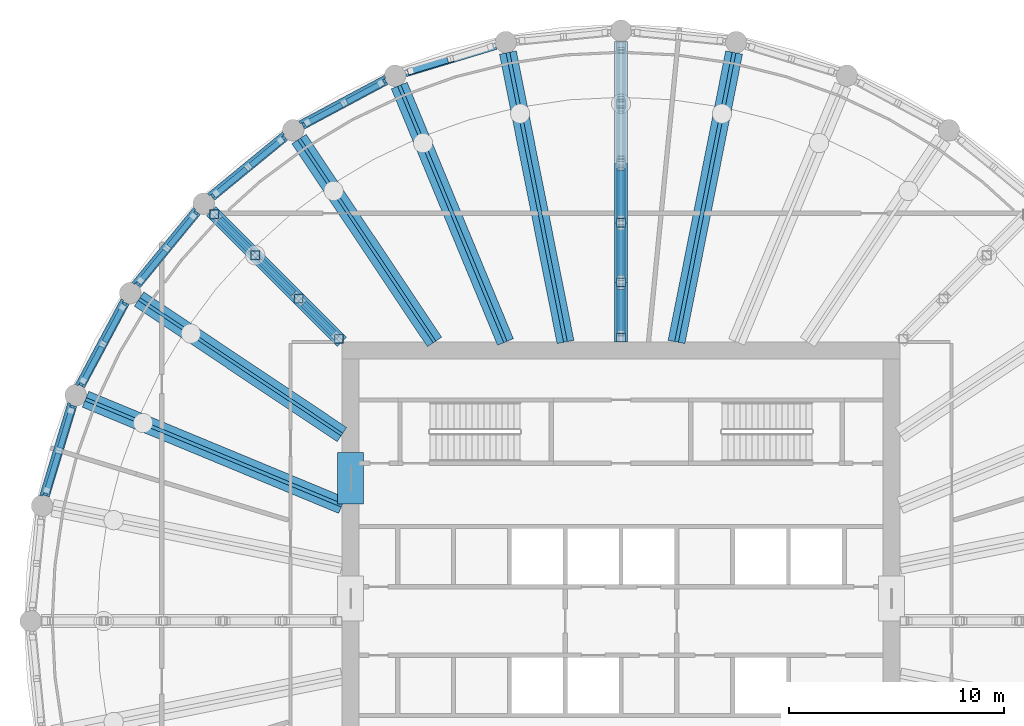
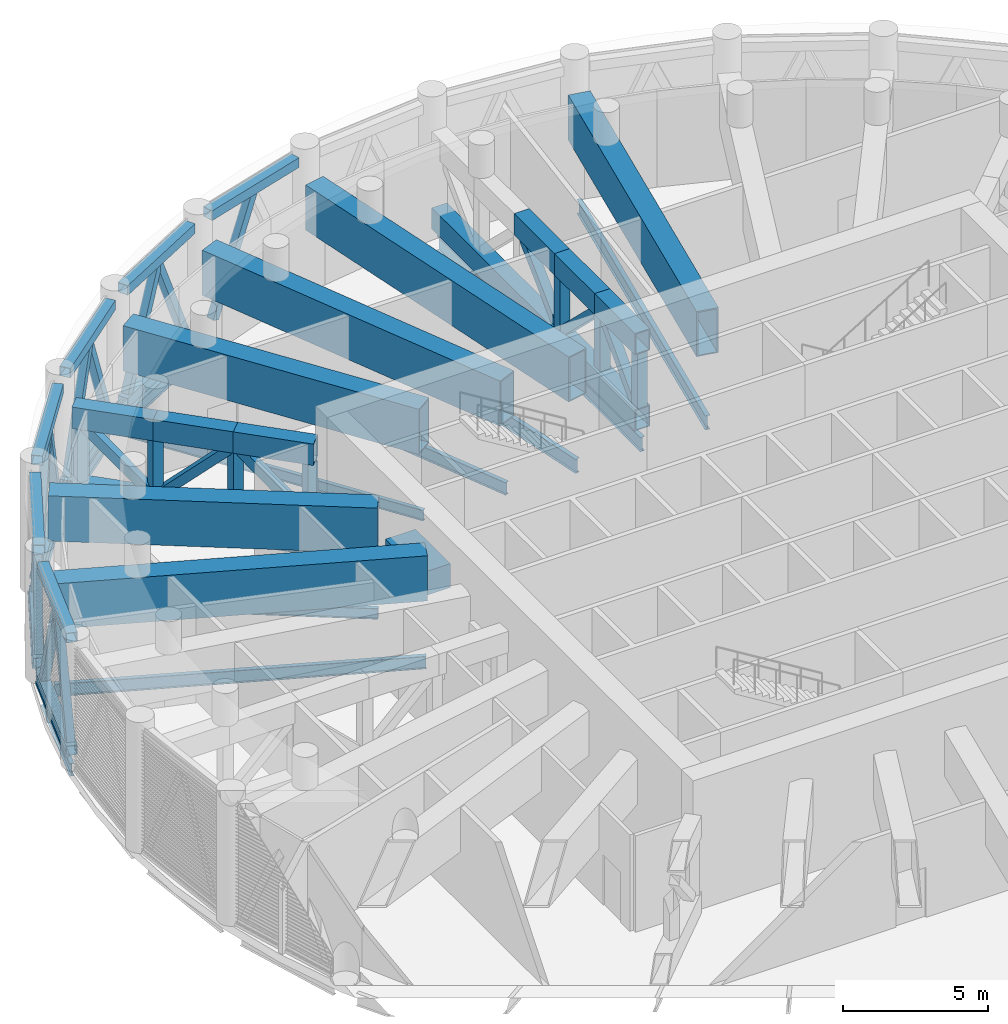
# One storey, part 6 of 24: 48 members, 20 beams, 5 elements without a shape of their own.
"""IFC4 building model written with IfcOpenShell, lengths in metres."""

from ifc_helpers import new_model, si_unit, direction, frame, origin, origin_2d, place, context, subcontext, project, spatial, rectangle, hollow_rectangle, i_section, extrude, material, material_profile, profile_set, type_object, element, aggregate, save


model = new_model("IFC4")

# Units and contexts
model_context = context("Model", 3, precision=1e-05, world=origin(), true_north=direction((0.0, 1.0)))
body_context = subcontext(model_context, "Body", "Model", "MODEL_VIEW")
ifc_project = project(units=[si_unit("LENGTHUNIT", "METRE"), si_unit("AREAUNIT", "SQUARE_METRE"), si_unit("VOLUMEUNIT", "CUBIC_METRE"), si_unit("PLANEANGLEUNIT", "RADIAN"), si_unit("MASSUNIT", "GRAM", prefix="KILO")], contexts=[model_context])

# Site, building, storey
site_placement = place(None, origin())
site = spatial("IfcSite", under=ifc_project, at=site_placement, CompositionType="ELEMENT")
building_placement = place(site_placement, origin())
building = spatial("IfcBuilding", under=site, at=building_placement, Name="Corvane Civic Tower", CompositionType="ELEMENT")
storey_placement = place(building_placement, frame((0.0, 0.0, 257.5)))
storey = spatial("IfcBuildingStorey", under=building, at=storey_placement, Name="L61", CompositionType="ELEMENT", Elevation=257.5)

# Members
ifc_material_1 = material(Name="Steel ASTM A500 Gr C", Category="steel")
ifc_material_profile_1 = material_profile(ifc_material_1, hollow_rectangle(XDim=0.406494140625, YDim=0.406494140625, WallThickness=0.0146484375, at=origin_2d()), Name="HSS16X16X5/8")
ifc_profile_set_1 = profile_set([ifc_material_profile_1], Name="Steel ASTM A500 Gr C")
member_type_1 = type_object("IfcMemberType", Name="BELT CHORD HSS16X16X5/8", PredefinedType="CHORD", material=ifc_profile_set_1)
for number, where, z_axis, x_axis, name in (
    (1, (-26.826416015625, 5.843505859375, 4.94677734375), (0.290254307888, 0.956949547653, 0.0), (-0.956949547653, 0.290254307888, 0.0), "Belt truss BT-L61"),
    (2, (-26.826416015625, 5.843505859375, 0.203125), (0.290254307888, 0.956949547653, 0.0), (-0.956949547653, 0.290254307888, 0.0), "Belt truss BT-L61"),
):
    element("IfcMember", number, at=place(storey_placement, frame(where, z_axis=z_axis, x_axis=x_axis)), inside=storey, type_object=member_type_1, Name=name, PredefinedType="CHORD", context=body_context, shape_type="SweptSolid", body=[
        extrude(hollow_rectangle(XDim=0.406494140625, YDim=0.406494140625, WallThickness=0.0146484375, at=origin_2d()), origin(), (0.0, 0.0, 1.0), 4.390625),
    ])
for number, where, z_axis, x_axis, name in (
    (3, (-25.171142578125, 10.964599609375, 4.94677734375), (0.471422006704, 0.881907756852, 0.0), (-0.881907756852, 0.471422006704, 0.0), "Belt truss BT-L61"),
    (4, (-25.171142578125, 10.964599609375, 0.203125), (0.471422006704, 0.881907756852, 0.0), (-0.881907756852, 0.471422006704, 0.0), "Belt truss BT-L61"),
    (5, (-22.54833984375, 15.66455078125, 4.94677734375), (0.634369433447, 0.773030026524, 0.0), (-0.773030026524, 0.634369433447, 0.0), "Belt truss BT-L61"),
    (6, (-22.54833984375, 15.66455078125, 0.203125), (0.634369433447, 0.773030026524, 0.0), (-0.773030026524, 0.634369433447, 0.0), "Belt truss BT-L61"),
    (7, (-19.05908203125, 19.7626953125, 4.94677734375), (0.773030026524, 0.634369433447, 0.0), (-0.634369433447, 0.773030026524, 0.0), "Belt truss BT-L61"),
    (8, (-19.05908203125, 19.7626953125, 0.203125), (0.773030026524, 0.634369433447, 0.0), (-0.634369433447, 0.773030026524, 0.0), "Belt truss BT-L61"),
    (9, (-14.837158203125, 23.10107421875, 4.94677734375), (0.881907756852, 0.471422006704, 0.0), (-0.471422006704, 0.881907756852, 0.0), "Belt truss BT-L61"),
    (10, (-14.837158203125, 23.10107421875, 0.203125), (0.881907756852, 0.471422006704, 0.0), (-0.471422006704, 0.881907756852, 0.0), "Belt truss BT-L61"),
):
    element("IfcMember", number, at=place(storey_placement, frame(where, z_axis=z_axis, x_axis=x_axis)), inside=storey, type_object=member_type_1, Name=name, PredefinedType="CHORD", context=body_context, shape_type="SweptSolid", body=[
        extrude(hollow_rectangle(XDim=0.406494140625, YDim=0.406494140625, WallThickness=0.0146484375, at=origin_2d()), origin(), (0.0, 0.0, 1.0), 4.39111328125),
    ])
member_1_placement = place(storey_placement, frame((-10.045166015625, 25.552001953125, 4.94677734375), z_axis=(0.956949547653, 0.290254307888, 0.0), x_axis=(-0.290254307888, 0.956949547653, 0.0)))
element("IfcMember", 11, at=member_1_placement, inside=storey, type_object=member_type_1, Name="Belt truss BT-L61", PredefinedType="CHORD", context=body_context, shape_type="SweptSolid", body=[
    extrude(hollow_rectangle(XDim=0.406494140625, YDim=0.406494140625, WallThickness=0.0146484375, at=origin_2d()), origin(), (0.0, 0.0, 1.0), 4.390625),
])
ifc_material_2 = material(Name="Steel ASTM A500 Gr C", Category="steel")
ifc_material_profile_2 = material_profile(ifc_material_2, hollow_rectangle(XDim=0.3046875, YDim=0.3046875, WallThickness=0.01171875, at=origin_2d()), Name="HSS12X12X1/2")
ifc_profile_set_2 = profile_set([ifc_material_profile_2], Name="Steel ASTM A500 Gr C")
member_type_2 = type_object("IfcMemberType", Name="BELT DIAGONAL HSS12X12X1/2", PredefinedType="BRACE", material=ifc_profile_set_2)
for number, where, z_axis, x_axis, name in (
    (12, (-26.75390625, 6.082763671875, 0.406494140625), (0.118797380239, 0.391625604983, 0.912423458691), (-0.956940979373, 0.290282555448, 0.0), "Belt truss BT-L61"),
    (13, (-25.62451171875, 9.805908203125, 0.406494140625), (-0.118797380239, -0.391625604983, 0.912423458691), (0.956940979373, -0.290282555448, 0.0), "Belt truss BT-L61"),
    (14, (-25.05322265625, 11.18505859375, 0.406494140625), (0.192908446301, 0.36095861571, 0.912411754139), (-0.88194965747, 0.471343613184, 0.0), "Belt truss BT-L61"),
):
    element("IfcMember", number, at=place(storey_placement, frame(where, z_axis=z_axis, x_axis=x_axis)), inside=storey, type_object=member_type_2, Name=name, PredefinedType="BRACE", context=body_context, shape_type="SweptSolid", body=[
        extrude(hollow_rectangle(XDim=0.3046875, YDim=0.3046875, WallThickness=0.01171875, at=origin_2d()), origin(), (0.0, 0.0, 1.0), 4.75341796875),
    ])
member_2_placement = place(storey_placement, frame((-23.218994140625, 14.61669921875, 0.406494140625), z_axis=(-0.192957894346, -0.360955038984, 0.912402713083), x_axis=(0.881897488442, -0.47144121572, 0.0)))
element("IfcMember", 15, at=member_2_placement, inside=storey, type_object=member_type_2, Name="Belt truss BT-L61", PredefinedType="BRACE", context=body_context, shape_type="SweptSolid", body=[
    extrude(hollow_rectangle(XDim=0.3046875, YDim=0.3046875, WallThickness=0.01171875, at=origin_2d()), origin(), (0.0, 0.0, 1.0), 4.753662109375),
])
for number, where, z_axis, x_axis, name in (
    (16, (-22.3896484375, 15.85791015625, 0.406494140625), (0.259625765734, 0.316378776839, 0.912413793919), (-0.773033921437, 0.634364687153, 0.0), "Belt truss BT-L61"),
    (17, (-19.92138671875, 18.86572265625, 0.406494140625), (-0.259625765734, -0.316378776839, 0.912413793919), (0.773033921437, -0.634364687153, 0.0), "Belt truss BT-L61"),
    (18, (-18.86572265625, 19.92138671875, 0.406494140625), (0.316378776839, 0.259625765734, 0.912413793919), (-0.634364687153, 0.773033921437, 0.0), "Belt truss BT-L61"),
    (19, (-15.85791015625, 22.3896484375, 0.406494140625), (-0.316378776839, -0.259625765734, 0.912413793919), (0.634364687153, -0.773033921437, 0.0), "Belt truss BT-L61"),
):
    element("IfcMember", number, at=place(storey_placement, frame(where, z_axis=z_axis, x_axis=x_axis)), inside=storey, type_object=member_type_2, Name=name, PredefinedType="BRACE", context=body_context, shape_type="SweptSolid", body=[
        extrude(hollow_rectangle(XDim=0.3046875, YDim=0.3046875, WallThickness=0.01171875, at=origin_2d()), origin(), (0.0, 0.0, 1.0), 4.75341796875),
    ])
member_3_placement = place(storey_placement, frame((-14.61669921875, 23.218994140625, 0.406494140625), z_axis=(0.360955038984, 0.192957894346, 0.912402713083), x_axis=(-0.47144121572, 0.881897488442, 0.0)))
element("IfcMember", 20, at=member_3_placement, inside=storey, type_object=member_type_2, Name="Belt truss BT-L61", PredefinedType="BRACE", context=body_context, shape_type="SweptSolid", body=[
    extrude(hollow_rectangle(XDim=0.3046875, YDim=0.3046875, WallThickness=0.01171875, at=origin_2d()), origin(), (0.0, 0.0, 1.0), 4.753662109375),
])
for number, where, z_axis, x_axis, name in (
    (21, (-11.18505859375, 25.05322265625, 0.406494140625), (-0.36095861571, -0.192908446301, 0.912411754139), (0.471343613184, -0.88194965747, 0.0), "Belt truss BT-L61"),
    (22, (-9.805908203125, 25.62451171875, 0.406494140625), (0.391625604983, 0.118797380239, 0.912423458691), (-0.290282555448, 0.956940979373, 0.0), "Belt truss BT-L61"),
):
    element("IfcMember", number, at=place(storey_placement, frame(where, z_axis=z_axis, x_axis=x_axis)), inside=storey, type_object=member_type_2, Name=name, PredefinedType="BRACE", context=body_context, shape_type="SweptSolid", body=[
        extrude(hollow_rectangle(XDim=0.3046875, YDim=0.3046875, WallThickness=0.01171875, at=origin_2d()), origin(), (0.0, 0.0, 1.0), 4.75341796875),
    ])

# Beams
ifc_material_3 = material(Name="Concrete C50/60", Category="concrete")
ifc_material_profile_3 = material_profile(ifc_material_3, rectangle(XDim=1.199951171875, YDim=1.0, at=origin_2d()), Name="COUPLING BEAM 1200X1000")
ifc_profile_set_3 = profile_set([ifc_material_profile_3], Name="Concrete C50/60")
beam_type_1 = type_object("IfcBeamType", Name="COUPLING BEAM COUPLING BEAM 1200X1000", PredefinedType="BEAM", material=ifc_profile_set_3)
beam_1_placement = place(storey_placement, frame((-12.60009765625, 5.449951171875, 2.60009765625), z_axis=(0.0, 1.0, 0.0), x_axis=(-1.0, 0.0, 0.0)))
element("IfcBeam", 23, at=beam_1_placement, inside=storey, type_object=beam_type_1, Name="BM-L61-cpl-CW-WN", PredefinedType="BEAM", context=body_context, shape_type="SweptSolid", body=[
    extrude(rectangle(XDim=1.199951171875, YDim=1.0, at=origin_2d()), origin(), (0.0, 0.0, 1.0), 2.400146484375),
])
ifc_material_4 = material(Name="Steel ASTM A992 Gr 50", Category="steel")
ifc_material_profile_4 = material_profile(ifc_material_4, i_section(OverallWidth=0.165771484375, OverallDepth=0.5283203125, WebThickness=0.009765625, FlangeThickness=0.013671875, at=origin_2d()), Name="W21X50")
ifc_profile_set_4 = profile_set([ifc_material_profile_4], Name="Steel ASTM A992 Gr 50")
beam_type_2 = type_object("IfcBeamType", Name="EDGE BEAM W21X50", PredefinedType="BEAM", material=ifc_profile_set_4)
beam_2_placement = place(storey_placement, frame((-26.826416015625, 5.843505859375, -0.6142578125), z_axis=(0.290254307888, 0.956949547653, 0.0), x_axis=(-0.956949547653, 0.290254307888, 0.0)))
element("IfcBeam", 24, at=beam_2_placement, inside=storey, type_object=beam_type_2, Name="BM-L61-E26", PredefinedType="BEAM", context=body_context, shape_type="SweptSolid", body=[
    extrude(i_section(OverallWidth=0.165771484375, OverallDepth=0.5283203125, WebThickness=0.009765625, FlangeThickness=0.013671875, at=origin_2d()), origin(), (0.0, 0.0, 1.0), 4.390625),
])
for number, where, z_axis, x_axis, name in (
    (25, (-25.171142578125, 10.964599609375, -0.6142578125), (0.471422006704, 0.881907756852, 0.0), (-0.881907756852, 0.471422006704, 0.0), "BM-L61-E27"),
    (26, (-22.54833984375, 15.66455078125, -0.6142578125), (0.634369433447, 0.773030026524, 0.0), (-0.773030026524, 0.634369433447, 0.0), "BM-L61-E28"),
    (27, (-19.05908203125, 19.7626953125, -0.6142578125), (0.773030026524, 0.634369433447, 0.0), (-0.634369433447, 0.773030026524, 0.0), "BM-L61-E29"),
    (28, (-14.837158203125, 23.10107421875, -0.6142578125), (0.881907756852, 0.471422006704, 0.0), (-0.471422006704, 0.881907756852, 0.0), "BM-L61-E30"),
):
    element("IfcBeam", number, at=place(storey_placement, frame(where, z_axis=z_axis, x_axis=x_axis)), inside=storey, type_object=beam_type_2, Name=name, PredefinedType="BEAM", context=body_context, shape_type="SweptSolid", body=[
        extrude(i_section(OverallWidth=0.165771484375, OverallDepth=0.5283203125, WebThickness=0.009765625, FlangeThickness=0.013671875, at=origin_2d()), origin(), (0.0, 0.0, 1.0), 4.39111328125),
    ])
ifc_material_5 = material(Name="Steel ASTM A992 Gr 50", Category="steel")
ifc_material_profile_5 = material_profile(ifc_material_5, i_section(OverallWidth=0.140380859375, OverallDepth=0.40380859375, WebThickness=0.007080078125, FlangeThickness=0.01123046875, at=origin_2d()), Name="W16X31")
ifc_profile_set_5 = profile_set([ifc_material_profile_5], Name="Steel ASTM A992 Gr 50")
beam_type_3 = type_object("IfcBeamType", Name="FLOOR GIRDER W16X31", PredefinedType="BEAM", material=ifc_profile_set_5)
beam_3_placement = place(storey_placement, frame((-13.0, 13.0, -0.552001953125), z_axis=(-0.707106781187, 0.707106781187, 0.0), x_axis=(-0.707106781187, -0.707106781187, 0.0)))
element("IfcBeam", 29, at=beam_3_placement, inside=storey, type_object=beam_type_3, Name="BM-L61-G29", PredefinedType="BEAM", context=body_context, shape_type="SweptSolid", body=[
    extrude(i_section(OverallWidth=0.140380859375, OverallDepth=0.40380859375, WebThickness=0.007080078125, FlangeThickness=0.01123046875, at=origin_2d()), origin(), (0.0, 0.0, 1.0), 8.614990234375),
])
ifc_material_6 = material(Name="Steel ASTM A992 Gr 50", Category="steel")
ifc_material_profile_6 = material_profile(ifc_material_6, i_section(OverallWidth=0.15283203125, OverallDepth=0.45458984375, WebThickness=0.008056640625, FlangeThickness=0.013427734375, at=origin_2d()), Name="W18X40")
ifc_profile_set_6 = profile_set([ifc_material_profile_6], Name="Steel ASTM A992 Gr 50")
beam_type_4 = type_object("IfcBeamType", Name="FLOOR GIRDER W18X40", PredefinedType="BEAM", material=ifc_profile_set_6)
for number, where, z_axis, x_axis, name in (
    (30, (-13.0, 8.686279296875, -0.577392578125), (-0.831464872557, 0.555577326485, 0.0), (-0.555577326485, -0.831464872557, 0.0), "BM-L61-G28"),
    (31, (-8.686279296875, 13.0, -0.577392578125), (-0.555577326485, 0.831464872557, 0.0), (-0.831464872557, -0.555577326485, 0.0), "BM-L61-G30"),
):
    element("IfcBeam", number, at=place(storey_placement, frame(where, z_axis=z_axis, x_axis=x_axis)), inside=storey, type_object=beam_type_4, Name=name, PredefinedType="BEAM", context=body_context, shape_type="SweptSolid", body=[
        extrude(i_section(OverallWidth=0.15283203125, OverallDepth=0.45458984375, WebThickness=0.008056640625, FlangeThickness=0.013427734375, at=origin_2d()), origin(), (0.0, 0.0, 1.0), 11.365234375),
    ])
ifc_material_7 = material(Name="Steel ASTM A992 Gr 50", Category="steel")
ifc_material_profile_7 = material_profile(ifc_material_7, i_section(OverallWidth=0.165771484375, OverallDepth=0.5283203125, WebThickness=0.009765625, FlangeThickness=0.013671875, at=origin_2d()), Name="W21X50")
ifc_profile_set_7 = profile_set([ifc_material_profile_7], Name="Steel ASTM A992 Gr 50")
beam_type_5 = type_object("IfcBeamType", Name="FLOOR GIRDER W21X50", PredefinedType="BEAM", material=ifc_profile_set_7)
for number, where, z_axis, x_axis, name in (
    (32, (-13.0, 5.384765625, -0.6142578125), (-0.923878282404, 0.382686450378, 0.0), (-0.382686450378, -0.923878282404, 0.0), "BM-L61-G27"),
    (33, (-5.384765625, 13.0, -0.6142578125), (-0.382686450378, 0.923878282404, 0.0), (-0.923878282404, -0.382686450378, 0.0), "BM-L61-G31"),
):
    element("IfcBeam", number, at=place(storey_placement, frame(where, z_axis=z_axis, x_axis=x_axis)), inside=storey, type_object=beam_type_5, Name=name, PredefinedType="BEAM", context=body_context, shape_type="SweptSolid", body=[
        extrude(i_section(OverallWidth=0.165771484375, OverallDepth=0.5283203125, WebThickness=0.009765625, FlangeThickness=0.013671875, at=origin_2d()), origin(), (0.0, 0.0, 1.0), 12.928955078125),
    ])
ifc_material_8 = material(Name="Steel ASTM A992 Gr 50", Category="steel")
ifc_material_profile_8 = material_profile(ifc_material_8, i_section(OverallWidth=0.177978515625, OverallDepth=0.599365234375, WebThickness=0.010009765625, FlangeThickness=0.012939453125, at=origin_2d()), Name="W24X55")
ifc_profile_set_8 = profile_set([ifc_material_profile_8], Name="Steel ASTM A992 Gr 50")
beam_type_6 = type_object("IfcBeamType", Name="FLOOR GIRDER W24X55", PredefinedType="BEAM", material=ifc_profile_set_8)
beam_4_placement = place(storey_placement, frame((0.0, 13.0, -0.649658203125), z_axis=(0.0, 1.0, 0.0), x_axis=(-1.0, 0.0, 0.0)))
element("IfcBeam", 34, at=beam_4_placement, inside=storey, type_object=beam_type_6, Name="BM-L61-G01", PredefinedType="BEAM", context=body_context, shape_type="SweptSolid", body=[
    extrude(i_section(OverallWidth=0.177978515625, OverallDepth=0.599365234375, WebThickness=0.010009765625, FlangeThickness=0.012939453125, at=origin_2d()), origin(), (0.0, 0.0, 1.0), 14.0),
])
for number, where, z_axis, x_axis, name in (
    (35, (2.5859375, 13.0, -0.649658203125), (0.195077644118, 0.980787802109, 0.0), (-0.980787802109, 0.195077644118, 0.0), "BM-L61-G02"),
    (36, (-2.5859375, 13.0, -0.649658203125), (-0.195077644118, 0.980787802109, 0.0), (-0.980787802109, -0.195077644118, 0.0), "BM-L61-G32"),
):
    element("IfcBeam", number, at=place(storey_placement, frame(where, z_axis=z_axis, x_axis=x_axis)), inside=storey, type_object=beam_type_6, Name=name, PredefinedType="BEAM", context=body_context, shape_type="SweptSolid", body=[
        extrude(i_section(OverallWidth=0.177978515625, OverallDepth=0.599365234375, WebThickness=0.010009765625, FlangeThickness=0.012939453125, at=origin_2d()), origin(), (0.0, 0.0, 1.0), 13.745361328125),
    ])

# Members
ifc_material_9 = material(Name="Steel ASTM A572 Gr 50", Category="steel")
ifc_material_profile_9 = material_profile(ifc_material_9, hollow_rectangle(XDim=0.60009765625, YDim=0.89990234375, WallThickness=0.0400390625, at=origin_2d()), Name="BOX900X600X40")
ifc_profile_set_9 = profile_set([ifc_material_profile_9], Name="Steel ASTM A572 Gr 50")
member_type_3 = type_object("IfcMemberType", Name="OUTRIGGER CHORD BOX900X600X40", PredefinedType="CHORD", material=ifc_profile_set_9)
member_4_placement = place(storey_placement, frame((0.0, 13.0, 3.64990234375), z_axis=(0.0, 1.0, 0.0), x_axis=(-1.0, 0.0, 0.0)))
element("IfcMember", 37, at=member_4_placement, inside=storey, type_object=member_type_3, Name="Outrigger truss OT-L61-1", PredefinedType="CHORD", context=body_context, shape_type="SweptSolid", body=[
    extrude(hollow_rectangle(XDim=0.60009765625, YDim=0.89990234375, WallThickness=0.0400390625, at=origin_2d()), origin(), (0.0, 0.0, 1.0), 2.77490234375),
])
member_5_placement = place(storey_placement, frame((0.0, 15.77490234375, 3.64990234375), z_axis=(0.0, 1.0, 0.0), x_axis=(-1.0, 0.0, 0.0)))
element("IfcMember", 38, at=member_5_placement, inside=storey, type_object=member_type_3, Name="Outrigger truss OT-L61-1", PredefinedType="CHORD", context=body_context, shape_type="SweptSolid", body=[
    extrude(hollow_rectangle(XDim=0.60009765625, YDim=0.89990234375, WallThickness=0.0400390625, at=origin_2d()), origin(), (0.0, 0.0, 1.0), 2.775146484375),
])
member_6_placement = place(storey_placement, frame((0.0, 18.550048828125, 3.64990234375), z_axis=(0.0, 1.0, 0.0), x_axis=(-1.0, 0.0, 0.0)))
element("IfcMember", 39, at=member_6_placement, inside=storey, type_object=member_type_3, Name="Outrigger truss OT-L61-1", PredefinedType="CHORD", context=body_context, shape_type="SweptSolid", body=[
    extrude(hollow_rectangle(XDim=0.60009765625, YDim=0.89990234375, WallThickness=0.0400390625, at=origin_2d()), origin(), (0.0, 0.0, 1.0), 2.77490234375),
])
member_7_placement = place(storey_placement, frame((0.0, 13.0, 0.449951171875), z_axis=(0.0, 1.0, 0.0), x_axis=(-1.0, 0.0, 0.0)))
element("IfcMember", 40, at=member_7_placement, inside=storey, type_object=member_type_3, Name="Outrigger truss OT-L61-1", PredefinedType="CHORD", context=body_context, shape_type="SweptSolid", body=[
    extrude(hollow_rectangle(XDim=0.60009765625, YDim=0.89990234375, WallThickness=0.0400390625, at=origin_2d()), origin(), (0.0, 0.0, 1.0), 14.0),
])
member_8_placement = place(storey_placement, frame((-13.0, 13.0, 3.64990234375), z_axis=(-0.707106781187, 0.707106781187, 0.0), x_axis=(-0.707106781187, -0.707106781187, 0.0)))
element("IfcMember", 41, at=member_8_placement, inside=storey, type_object=member_type_3, Name="Outrigger truss OT-L61-8", PredefinedType="CHORD", context=body_context, shape_type="SweptSolid", body=[
    extrude(hollow_rectangle(XDim=0.60009765625, YDim=0.89990234375, WallThickness=0.0400390625, at=origin_2d()), origin(), (0.0, 0.0, 1.0), 2.857666015625),
])
member_9_placement = place(storey_placement, frame((-15.020751953125, 15.020751953125, 3.64990234375), z_axis=(-0.707106781187, 0.707106781187, 0.0), x_axis=(-0.707106781187, -0.707106781187, 0.0)))
element("IfcMember", 42, at=member_9_placement, inside=storey, type_object=member_type_3, Name="Outrigger truss OT-L61-8", PredefinedType="CHORD", context=body_context, shape_type="SweptSolid", body=[
    extrude(hollow_rectangle(XDim=0.60009765625, YDim=0.89990234375, WallThickness=0.0400390625, at=origin_2d()), origin(), (0.0, 0.0, 1.0), 2.857421875),
])
member_10_placement = place(storey_placement, frame((-17.041259765625, 17.041259765625, 3.64990234375), z_axis=(-0.707106781187, 0.707106781187, 0.0), x_axis=(-0.707106781187, -0.707106781187, 0.0)))
element("IfcMember", 43, at=member_10_placement, inside=storey, type_object=member_type_3, Name="Outrigger truss OT-L61-8", PredefinedType="CHORD", context=body_context, shape_type="SweptSolid", body=[
    extrude(hollow_rectangle(XDim=0.60009765625, YDim=0.89990234375, WallThickness=0.0400390625, at=origin_2d()), origin(), (0.0, 0.0, 1.0), 2.89990234375),
])
member_11_placement = place(storey_placement, frame((-13.0, 13.0, 0.449951171875), z_axis=(-0.707106781187, 0.707106781187, 0.0), x_axis=(-0.707106781187, -0.707106781187, 0.0)))
element("IfcMember", 44, at=member_11_placement, inside=storey, type_object=member_type_3, Name="Outrigger truss OT-L61-8", PredefinedType="CHORD", context=body_context, shape_type="SweptSolid", body=[
    extrude(hollow_rectangle(XDim=0.60009765625, YDim=0.89990234375, WallThickness=0.0400390625, at=origin_2d()), origin(), (0.0, 0.0, 1.0), 8.614990234375),
])
ifc_material_10 = material(Name="Steel ASTM A500 Gr C", Category="steel")
ifc_material_profile_10 = material_profile(ifc_material_10, hollow_rectangle(XDim=0.355712890625, YDim=0.355712890625, WallThickness=0.01171875, at=origin_2d()), Name="HSS14X14X1/2")
ifc_profile_set_10 = profile_set([ifc_material_profile_10], Name="Steel ASTM A500 Gr C")
member_type_4 = type_object("IfcMemberType", Name="OUTRIGGER DIAGONAL HSS14X14X1/2", PredefinedType="BRACE", material=ifc_profile_set_10)
member_12_placement = place(storey_placement, frame((0.0, 13.406494140625, 0.89990234375), z_axis=(0.0, 0.685453892401, 0.728116035665), x_axis=(-1.0, 0.0, 0.0)))
element("IfcMember", 45, at=member_12_placement, inside=storey, type_object=member_type_4, Name="Outrigger truss OT-L61-1", PredefinedType="BRACE", context=body_context, shape_type="SweptSolid", body=[
    extrude(hollow_rectangle(XDim=0.355712890625, YDim=0.355712890625, WallThickness=0.01171875, at=origin_2d()), origin(), (0.0, 0.0, 1.0), 3.158935546875),
])
for number, where, z_axis, x_axis, name in (
    (46, (0.0, 15.978271484375, 3.199951171875), (0.0, 0.717383914555, -0.696678059894), (-1.0, 0.0, 0.0), "Outrigger truss OT-L61-1"),
    (47, (0.0, 18.753173828125, 0.89990234375), (0.0, 0.717419803843, 0.696641102042), (-1.0, 0.0, 0.0), "Outrigger truss OT-L61-1"),
):
    element("IfcMember", number, at=place(storey_placement, frame(where, z_axis=z_axis, x_axis=x_axis)), inside=storey, type_object=member_type_4, Name=name, PredefinedType="BRACE", context=body_context, shape_type="SweptSolid", body=[
        extrude(hollow_rectangle(XDim=0.355712890625, YDim=0.355712890625, WallThickness=0.01171875, at=origin_2d()), origin(), (0.0, 0.0, 1.0), 3.301513671875),
    ])
member_13_placement = place(storey_placement, frame((-13.287353515625, 13.287353515625, 0.89990234375), z_axis=(-0.494249277521, 0.494249277521, 0.715147050151), x_axis=(-0.707106781187, -0.707106781187, 0.0)))
element("IfcMember", 48, at=member_13_placement, inside=storey, type_object=member_type_4, Name="Outrigger truss OT-L61-8", PredefinedType="BRACE", context=body_context, shape_type="SweptSolid", body=[
    extrude(hollow_rectangle(XDim=0.355712890625, YDim=0.355712890625, WallThickness=0.01171875, at=origin_2d()), origin(), (0.0, 0.0, 1.0), 3.21630859375),
])
member_14_placement = place(storey_placement, frame((-15.164306640625, 15.164306640625, 3.199951171875), z_axis=(-0.515664863486, 0.515664863486, -0.684236433648), x_axis=(-0.707106781187, -0.707106781187, 0.0)))
element("IfcMember", 49, at=member_14_placement, inside=storey, type_object=member_type_4, Name="Outrigger truss OT-L61-8", PredefinedType="BRACE", context=body_context, shape_type="SweptSolid", body=[
    extrude(hollow_rectangle(XDim=0.355712890625, YDim=0.355712890625, WallThickness=0.01171875, at=origin_2d()), origin(), (0.0, 0.0, 1.0), 3.361572265625),
])
member_15_placement = place(storey_placement, frame((-17.18505859375, 17.18505859375, 0.89990234375), z_axis=(-0.498921228114, 0.498921228114, 0.708629110518), x_axis=(-0.707106781187, -0.707106781187, 0.0)))
element("IfcMember", 50, at=member_15_placement, inside=storey, type_object=member_type_4, Name="Outrigger truss OT-L61-8", PredefinedType="BRACE", context=body_context, shape_type="SweptSolid", body=[
    extrude(hollow_rectangle(XDim=0.355712890625, YDim=0.355712890625, WallThickness=0.01171875, at=origin_2d()), origin(), (0.0, 0.0, 1.0), 3.245849609375),
])
ifc_material_11 = material(Name="Steel ASTM A500 Gr C", Category="steel")
ifc_material_profile_11 = material_profile(ifc_material_11, hollow_rectangle(XDim=0.406494140625, YDim=0.406494140625, WallThickness=0.0146484375, at=origin_2d()), Name="HSS16X16X5/8")
ifc_profile_set_11 = profile_set([ifc_material_profile_11], Name="Steel ASTM A500 Gr C")
member_type_5 = type_object("IfcMemberType", Name="OUTRIGGER POST HSS16X16X5/8", PredefinedType="POST", material=ifc_profile_set_11)
for number, where, z_axis, x_axis, name in (
    (51, (0.0, 13.203125, 0.89990234375), (0.0, 0.0, 1.0), (1.0, 0.0, 0.0), "Outrigger truss OT-L61-1"),
    (52, (0.0, 15.77490234375, 0.89990234375), (0.0, 0.0, 1.0), (1.0, 0.0, 0.0), "Outrigger truss OT-L61-1"),
    (53, (0.0, 18.550048828125, 0.89990234375), (0.0, 0.0, 1.0), (1.0, 0.0, 0.0), "Outrigger truss OT-L61-1"),
    (54, (-13.143798828125, 13.143798828125, 0.89990234375), (0.0, 0.0, 1.0), (1.0, 0.0, 0.0), "Outrigger truss OT-L61-8"),
    (55, (-15.020751953125, 15.020751953125, 0.89990234375), (0.0, 0.0, 1.0), (1.0, 0.0, 0.0), "Outrigger truss OT-L61-8"),
    (56, (-17.041259765625, 17.041259765625, 0.89990234375), (0.0, 0.0, 1.0), (1.0, 0.0, 0.0), "Outrigger truss OT-L61-8"),
    (57, (-18.9482421875, 18.9482421875, 0.89990234375), (0.0, 0.0, 1.0), (1.0, 0.0, 0.0), "Outrigger truss OT-L61-8"),
):
    element("IfcMember", number, at=place(storey_placement, frame(where, z_axis=z_axis, x_axis=x_axis)), inside=storey, type_object=member_type_5, Name=name, PredefinedType="POST", context=body_context, shape_type="SweptSolid", body=[
        extrude(hollow_rectangle(XDim=0.406494140625, YDim=0.406494140625, WallThickness=0.0146484375, at=origin_2d()), origin(), (0.0, 0.0, 1.0), 2.300048828125),
    ])

# Curtain wall, member
ifc_material_12 = material(Name="Anodised aluminium bronze", Category="aluminium")
curtain_wall_type = type_object("IfcCurtainWallType", Name="TOWER CW-LV LOUVRE SCREEN WALL", PredefinedType="NOTDEFINED", material=ifc_material_12)
curtain_wall_1_placement = place(storey_placement, origin())
curtain_wall_1 = element("IfcCurtainWall", 58, at=curtain_wall_1_placement, inside=storey, type_object=curtain_wall_type, Name="Louvre screen wall CW-LV L61 bay 26", PredefinedType="NOTDEFINED")
ifc_material_13 = material(Name="Anodised aluminium bronze", Category="aluminium")
ifc_material_profile_12 = material_profile(ifc_material_13, rectangle(XDim=0.139892578125, YDim=0.1201171875, at=origin_2d()), Name="TOWER CW-LV TRANSOM 140x120")
ifc_profile_set_12 = profile_set([ifc_material_profile_12], Name="Anodised aluminium bronze")
member_type_6 = type_object("IfcMemberType", Name="TOWER CW-LV TRANSOM 140x120", PredefinedType="USERDEFINED", material=ifc_profile_set_12)
member_16_placement = place(storey_placement, frame((-27.016357421875, 5.8349609375, 0.06005859375), z_axis=(0.2902818869, 0.956941182173, 0.0), x_axis=(-0.956941182173, 0.2902818869, 0.0)))
member_16 = element("IfcMember", 59, at=member_16_placement, type_object=member_type_6, Name="Transom CW-LV L61 26.1", ObjectType="TRANSOM", PredefinedType="USERDEFINED", context=body_context, shape_type="SweptSolid", body=[
    extrude(rectangle(XDim=0.139892578125, YDim=0.1201171875, at=origin_2d()), origin(), (0.0, 0.0, 1.0), 4.517333984375),
])
aggregate(curtain_wall_1, [member_16])

curtain_wall_2_placement = place(storey_placement, origin())
curtain_wall_2 = element("IfcCurtainWall", 60, at=curtain_wall_2_placement, inside=storey, type_object=curtain_wall_type, Name="Louvre screen wall CW-LV L61 bay 27", PredefinedType="NOTDEFINED")
member_17_placement = place(storey_placement, frame((-25.35888671875, 10.993408203125, 0.06005859375), z_axis=(0.471390317183, 0.881924695689, 0.0), x_axis=(-0.881924695689, 0.471390317183, 0.0)))
member_17 = element("IfcMember", 61, at=member_17_placement, type_object=member_type_6, Name="Transom CW-LV L61 27.1", ObjectType="TRANSOM", PredefinedType="USERDEFINED", context=body_context, shape_type="SweptSolid", body=[
    extrude(rectangle(XDim=0.139892578125, YDim=0.1201171875, at=origin_2d()), origin(), (0.0, 0.0, 1.0), 4.517333984375),
])
aggregate(curtain_wall_2, [member_17])

curtain_wall_3_placement = place(storey_placement, origin())
curtain_wall_3 = element("IfcCurtainWall", 62, at=curtain_wall_3_placement, inside=storey, type_object=curtain_wall_type, Name="Louvre screen wall CW-LV L61 bay 28", PredefinedType="NOTDEFINED")
member_18_placement = place(storey_placement, frame((-22.726806640625, 15.7294921875, 0.06005859375), z_axis=(0.634387834569, 0.773014925698, 0.0), x_axis=(-0.773014925698, 0.634387834569, 0.0)))
member_18 = element("IfcMember", 63, at=member_18_placement, type_object=member_type_6, Name="Transom CW-LV L61 28.1", ObjectType="TRANSOM", PredefinedType="USERDEFINED", context=body_context, shape_type="SweptSolid", body=[
    extrude(rectangle(XDim=0.139892578125, YDim=0.1201171875, at=origin_2d()), origin(), (0.0, 0.0, 1.0), 4.517333984375),
])
aggregate(curtain_wall_3, [member_18])

curtain_wall_4_placement = place(storey_placement, origin())
curtain_wall_4 = element("IfcCurtainWall", 64, at=curtain_wall_4_placement, inside=storey, type_object=curtain_wall_type, Name="Louvre screen wall CW-LV L61 bay 29", PredefinedType="NOTDEFINED")
member_19_placement = place(storey_placement, frame((-19.221435546875, 19.861083984375, 0.06005859375), z_axis=(0.773014925698, 0.634387834569, 0.0), x_axis=(-0.634387834569, 0.773014925698, 0.0)))
member_19 = element("IfcMember", 65, at=member_19_placement, type_object=member_type_6, Name="Transom CW-LV L61 29.1", ObjectType="TRANSOM", PredefinedType="USERDEFINED", context=body_context, shape_type="SweptSolid", body=[
    extrude(rectangle(XDim=0.139892578125, YDim=0.1201171875, at=origin_2d()), origin(), (0.0, 0.0, 1.0), 4.517333984375),
])
aggregate(curtain_wall_4, [member_19])

curtain_wall_5_placement = place(storey_placement, origin())
curtain_wall_5 = element("IfcCurtainWall", 66, at=curtain_wall_5_placement, inside=storey, type_object=curtain_wall_type, Name="Louvre screen wall CW-LV L61 bay 30", PredefinedType="NOTDEFINED")
member_20_placement = place(storey_placement, frame((-14.977294921875, 23.2294921875, 0.06005859375), z_axis=(0.881924695689, 0.471390317183, 0.0), x_axis=(-0.471390317183, 0.881924695689, 0.0)))
member_20 = element("IfcMember", 67, at=member_20_placement, type_object=member_type_6, Name="Transom CW-LV L61 30.1", ObjectType="TRANSOM", PredefinedType="USERDEFINED", context=body_context, shape_type="SweptSolid", body=[
    extrude(rectangle(XDim=0.139892578125, YDim=0.1201171875, at=origin_2d()), origin(), (0.0, 0.0, 1.0), 4.517333984375),
])
aggregate(curtain_wall_5, [member_20])

# Beams
ifc_material_14 = material(Name="Steel ASTM A572 Gr 50", Category="steel")
ifc_material_profile_13 = material_profile(ifc_material_14, hollow_rectangle(XDim=0.800048828125, YDim=1.89990234375, WallThickness=0.050048828125, at=origin_2d()), Name="BOX1900X800X50")
ifc_profile_set_13 = profile_set([ifc_material_profile_13], Name="Steel ASTM A572 Gr 50")
beam_type_7 = type_object("IfcBeamType", Name="TRANSFER GIRDER BOX1900X800X50", PredefinedType="BEAM", material=ifc_profile_set_13)
beam_5_placement = place(storey_placement, frame((2.5859375, 13.0, 3.14990234375), z_axis=(0.195077644118, 0.980787802109, 0.0), x_axis=(-0.980787802109, 0.195077644118, 0.0)))
element("IfcBeam", 68, at=beam_5_placement, inside=storey, type_object=beam_type_7, Name="Transfer girder TG-L61-2", PredefinedType="BEAM", context=body_context, shape_type="SweptSolid", body=[
    extrude(hollow_rectangle(XDim=0.800048828125, YDim=1.89990234375, WallThickness=0.050048828125, at=origin_2d()), origin(), (0.0, 0.0, 1.0), 13.745361328125),
])
beam_6_placement = place(storey_placement, frame((-13.0, 5.384765625, 3.14990234375), z_axis=(-0.923878282404, 0.382686450378, 0.0), x_axis=(-0.382686450378, -0.923878282404, 0.0)))
element("IfcBeam", 69, at=beam_6_placement, inside=storey, type_object=beam_type_7, Name="Transfer girder TG-L61-27", PredefinedType="BEAM", context=body_context, shape_type="SweptSolid", body=[
    extrude(hollow_rectangle(XDim=0.800048828125, YDim=1.89990234375, WallThickness=0.050048828125, at=origin_2d()), origin(), (0.0, 0.0, 1.0), 12.928955078125),
])
for number, where, z_axis, x_axis, name in (
    (70, (-13.0, 8.686279296875, 3.14990234375), (-0.831464872557, 0.555577326485, 0.0), (-0.555577326485, -0.831464872557, 0.0), "Transfer girder TG-L61-28"),
    (71, (-8.686279296875, 13.0, 3.14990234375), (-0.555577326485, 0.831464872557, 0.0), (-0.831464872557, -0.555577326485, 0.0), "Transfer girder TG-L61-30"),
):
    element("IfcBeam", number, at=place(storey_placement, frame(where, z_axis=z_axis, x_axis=x_axis)), inside=storey, type_object=beam_type_7, Name=name, PredefinedType="BEAM", context=body_context, shape_type="SweptSolid", body=[
        extrude(hollow_rectangle(XDim=0.800048828125, YDim=1.89990234375, WallThickness=0.050048828125, at=origin_2d()), origin(), (0.0, 0.0, 1.0), 11.365234375),
    ])
beam_7_placement = place(storey_placement, frame((-5.384765625, 13.0, 3.14990234375), z_axis=(-0.382686450378, 0.923878282404, 0.0), x_axis=(-0.923878282404, -0.382686450378, 0.0)))
element("IfcBeam", 72, at=beam_7_placement, inside=storey, type_object=beam_type_7, Name="Transfer girder TG-L61-31", PredefinedType="BEAM", context=body_context, shape_type="SweptSolid", body=[
    extrude(hollow_rectangle(XDim=0.800048828125, YDim=1.89990234375, WallThickness=0.050048828125, at=origin_2d()), origin(), (0.0, 0.0, 1.0), 12.928955078125),
])
beam_8_placement = place(storey_placement, frame((-2.5859375, 13.0, 3.14990234375), z_axis=(-0.195077644118, 0.980787802109, 0.0), x_axis=(-0.980787802109, -0.195077644118, 0.0)))
element("IfcBeam", 73, at=beam_8_placement, inside=storey, type_object=beam_type_7, Name="Transfer girder TG-L61-32", PredefinedType="BEAM", context=body_context, shape_type="SweptSolid", body=[
    extrude(hollow_rectangle(XDim=0.800048828125, YDim=1.89990234375, WallThickness=0.050048828125, at=origin_2d()), origin(), (0.0, 0.0, 1.0), 13.745361328125),
])

save(model, "model.ifc")
